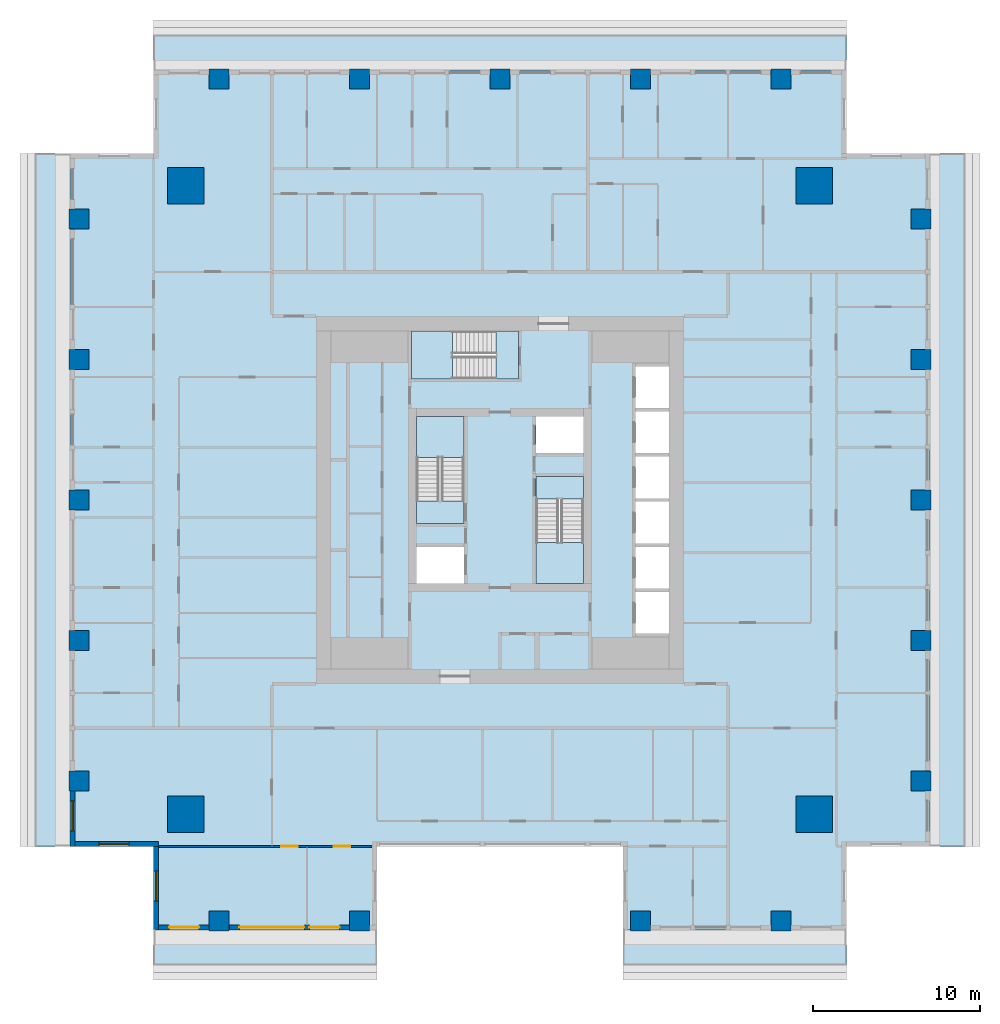
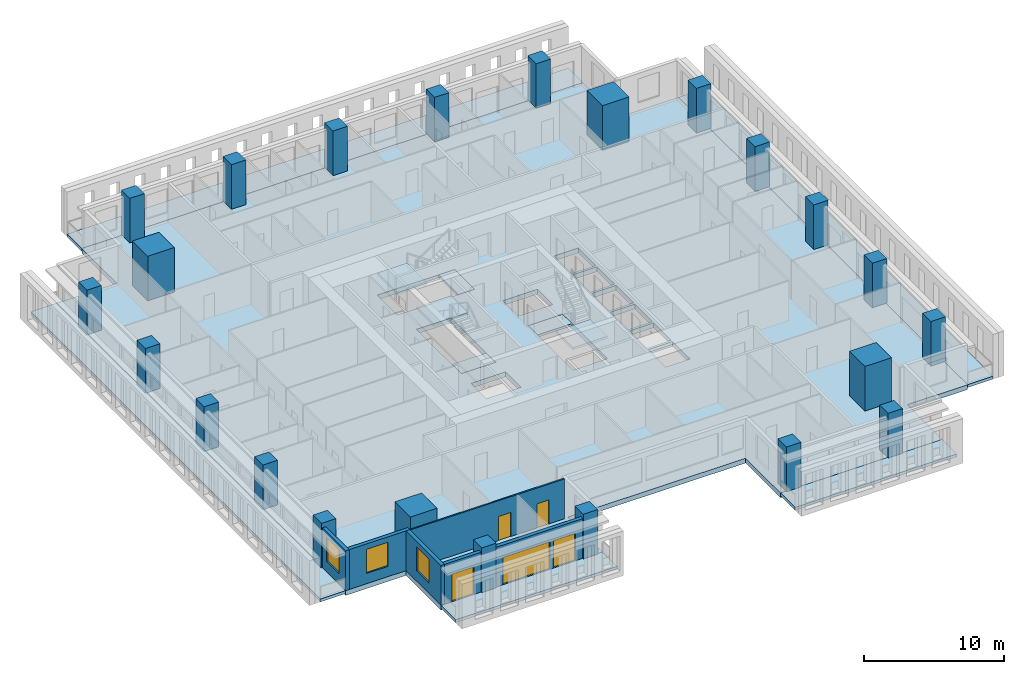
# One storey, part 1 of 15: 23 columns, 12 slabs, 6 walls, 5 doors, 3 windows, 8 openings, 3 elements without a shape of their own.
"""IFC4 building model written with IfcOpenShell, lengths in metres."""

import ifcopenshell
import ifcopenshell.guid

model = None  # the IFC model being written
_history = None  # IfcOwnerHistory: only IFC2X3 demands one
_inside = {}  # id of a spatial element -> (the spatial element, [elements in it])
_under = {}  # id of a project, library or spatial element -> (it, [spatial elements below it])
_declared = {}  # id of a project -> (the project, [libraries it declares])
_typed = {}  # id of a type object -> (the type object, [elements of that type])
_made_of = {}  # id of a material, layer set ... -> (it, [elements and type objects made of it])


def new_model(schema):
    """Start an empty IFC model of exactly this schema.

    Asked for "IFC4X3", IfcOpenShell would pick the latest addendum, in which some entities
    have other attributes; the version numbers below select the first issue.
    IFC2X3 requires an IfcOwnerHistory on every rooted entity: one is made here for all.
    """
    global model, _history
    if schema == "IFC4X3":
        model = ifcopenshell.file(schema_version=(4, 3, 0, 0))
    else:
        model = ifcopenshell.file(schema=schema)
    _inside.clear()
    _under.clear()
    _declared.clear()
    _typed.clear()
    _made_of.clear()
    _history = None
    if model.schema == "IFC2X3":
        org = make("IfcOrganization", Name="unknown")
        user = make(
            "IfcPersonAndOrganization",
            ThePerson=make("IfcPerson", FamilyName="unknown"),
            TheOrganization=org,
        )
        app = make(
            "IfcApplication",
            ApplicationDeveloper=org,
            Version="unknown",
            ApplicationFullName="unknown",
            ApplicationIdentifier="unknown",
        )
        _history = make(
            "IfcOwnerHistory",
            OwningUser=user,
            OwningApplication=app,
            ChangeAction="ADDED",
            CreationDate=0,
        )
    return model


def make(cls, **values):
    """One entity of the class cls with the attributes given. An attribute that is None is left unset."""
    return model.create_entity(
        cls, **{name: value for name, value in values.items() if value is not None}
    )


def rooted(cls, **values):
    """An entity with a GlobalId (a new one), such as an element, a storey or a relation."""
    return make(cls, GlobalId=ifcopenshell.guid.new(), OwnerHistory=_history, **values)


def si_unit(unit_type, name, prefix=None):
    """IfcSIUnit, for example si_unit("LENGTHUNIT", "METRE", prefix="MILLI")."""
    return make("IfcSIUnit", UnitType=unit_type, Prefix=prefix, Name=name)


def assignment(units):
    """IfcUnitAssignment: the units of a project."""
    return None if units is None else make("IfcUnitAssignment", Units=units)


def point(xyz):
    """IfcCartesianPoint."""
    return None if xyz is None else make("IfcCartesianPoint", Coordinates=xyz)


def direction(xyz):
    """IfcDirection."""
    return None if xyz is None else make("IfcDirection", DirectionRatios=xyz)


def frame(location, z_axis=None, x_axis=None):
    """IfcAxis2Placement3D, a coordinate frame: its origin and axes. An axis left out is left unset."""
    return make(
        "IfcAxis2Placement3D",
        Location=point(location),
        Axis=direction(z_axis),
        RefDirection=direction(x_axis),
    )


def frame_2d(location, x_axis=None):
    """IfcAxis2Placement2D, a coordinate frame in the plane: its origin and x axis."""
    return make(
        "IfcAxis2Placement2D", Location=point(location), RefDirection=direction(x_axis)
    )


def origin():
    """The frame at (0, 0, 0) with its axes left unset."""
    return frame((0.0, 0.0, 0.0))


def origin_2d():
    """The frame at (0, 0) in the plane with its x axis left unset."""
    return frame_2d((0.0, 0.0))


def place(relative_to, where):
    """IfcLocalPlacement: puts the frame where relative to a parent placement (None: the world)."""
    return make(
        "IfcLocalPlacement", PlacementRelTo=relative_to, RelativePlacement=where
    )


def context(
    kind, dimensions, precision=None, world=None, true_north=None, identifier=None
):
    """IfcGeometricRepresentationContext, for example the 3D "Model" context."""
    return make(
        "IfcGeometricRepresentationContext",
        ContextIdentifier=identifier,
        ContextType=kind,
        CoordinateSpaceDimension=dimensions,
        Precision=precision,
        WorldCoordinateSystem=world,
        TrueNorth=true_north,
    )


def subcontext(parent, identifier, kind, view, scale=None):
    """IfcGeometricRepresentationSubContext, for example "Body" below "Model"."""
    return make(
        "IfcGeometricRepresentationSubContext",
        ContextIdentifier=identifier,
        ContextType=kind,
        ParentContext=parent,
        TargetScale=scale,
        TargetView=view,
    )


def project(units=None, contexts=None):
    """IfcProject with its units and contexts."""
    return rooted(
        "IfcProject",
        Name="project",
        RepresentationContexts=contexts,
        UnitsInContext=assignment(units),
    )


def spatial(cls, under=None, at=None, **own):
    """A site, building, storey or space (cls), placed at a placement, below another one or the project."""
    s = rooted(cls, ObjectPlacement=at, **own)
    if under is not None:
        _under.setdefault(under.id(), (under, []))[1].append(s)
    return s


def polyline(points):
    """IfcPolyline through the points."""
    return make("IfcPolyline", Points=[point(p) for p in points])


def profile(cls, at=None, kind="AREA", **sizes):
    """A parametric profile (cls). Its sizes go by their IFC names, for example OverallWidth=200.0."""
    return make(cls, ProfileType=kind, Position=at, **sizes)


def rectangle(**sizes):
    """IfcRectangleProfileDef."""
    return profile("IfcRectangleProfileDef", **sizes)


def outline(outer, holes=None, kind="AREA"):
    """IfcArbitraryClosedProfileDef: a profile drawn as a closed curve; with holes, ...WithVoids."""
    if holes is None:
        return make("IfcArbitraryClosedProfileDef", ProfileType=kind, OuterCurve=outer)
    return make(
        "IfcArbitraryProfileDefWithVoids",
        ProfileType=kind,
        OuterCurve=outer,
        InnerCurves=holes,
    )


def extrude(swept, where, along, depth):
    """IfcExtrudedAreaSolid: the profile swept, set in the frame where, extruded along a direction by depth."""
    return make(
        "IfcExtrudedAreaSolid",
        SweptArea=swept,
        Position=where,
        ExtrudedDirection=direction(along),
        Depth=depth,
    )


def shape(context_of_items, identifier, shape_type, items):
    """IfcShapeRepresentation: the items that make up one representation, for example the "Body"."""
    return make(
        "IfcShapeRepresentation",
        ContextOfItems=context_of_items,
        RepresentationIdentifier=identifier,
        RepresentationType=shape_type,
        Items=items,
    )


def material(Name=None, Category=None):
    """IfcMaterial."""
    return make("IfcMaterial", Name=Name, Category=Category)


def layer(
    of_material, thickness, ventilated=None, Name=None, Category=None, Priority=None
):
    """IfcMaterialLayer: one layer of a wall or slab, of a material (None: an air gap)."""
    return make(
        "IfcMaterialLayer",
        Material=of_material,
        LayerThickness=thickness,
        IsVentilated=ventilated,
        Name=Name,
        Category=Category,
        Priority=Priority,
    )


def layer_set(layers, Name=None):
    """IfcMaterialLayerSet."""
    return make("IfcMaterialLayerSet", MaterialLayers=layers, LayerSetName=Name)


def material_profile(
    of_material, cross_section, Name=None, Category=None, Priority=None
):
    """IfcMaterialProfile: a cross section and its material."""
    return make(
        "IfcMaterialProfile",
        Name=Name,
        Material=of_material,
        Profile=cross_section,
        Priority=Priority,
        Category=Category,
    )


def profile_set(profiles, Name=None, composite=None):
    """IfcMaterialProfileSet."""
    return make(
        "IfcMaterialProfileSet",
        Name=Name,
        MaterialProfiles=profiles,
        CompositeProfile=composite,
    )


def made_of(thing, what):
    """Note that an element or type object is made of a material, layer set ...; save() writes the relation."""
    if what is not None:
        _made_of.setdefault(what.id(), (what, []))[1].append(thing)
    return thing


def type_object(cls, material=None, **own):
    """A type object (cls), such as IfcWallType, which elements share."""
    return made_of(rooted(cls, **own), material)


def element(
    cls,
    number,
    at=None,
    inside=None,
    cuts=None,
    type_object=None,
    material=None,
    context=None,
    identifier="Body",
    shape_type=None,
    held_by="IfcProductDefinitionShape",
    body=None,
    shapes=None,
    **own,
):
    """One element of the class cls, such as IfcWall. Its Tag is "e" and its number.

    at: its placement. inside: the storey or other place that contains it. cuts: it is an
    opening in that element (IfcRelVoidsElement). A single representation is given by context,
    identifier, shape_type and body (its items); several are given by shapes. held_by: the class
    of the entity that holds the representations. save() writes the other relations.
    """
    e = rooted(cls, Tag="e%d" % number, ObjectPlacement=at, **own)
    if body is not None:
        shapes = [shape(context, identifier, shape_type, body)]
    if shapes is not None:
        e.Representation = make(held_by, Representations=shapes)
    if inside is not None:
        _inside.setdefault(inside.id(), (inside, []))[1].append(e)
    if cuts is not None:
        rooted(
            "IfcRelVoidsElement", RelatingBuildingElement=cuts, RelatedOpeningElement=e
        )
    if type_object is not None:
        _typed.setdefault(type_object.id(), (type_object, []))[1].append(e)
    return made_of(e, material)


def fill(opening, filler):
    """IfcRelFillsElement: the door or window that sits in an opening."""
    return rooted(
        "IfcRelFillsElement",
        RelatingOpeningElement=opening,
        RelatedBuildingElement=filler,
    )


def aggregate(whole, parts):
    """IfcRelAggregates: a whole, such as a stair, and the parts it consists of."""
    return rooted("IfcRelAggregates", RelatingObject=whole, RelatedObjects=parts)


def save(model, path):
    """Write the relations noted so far, then the file.

    IfcRelAggregates (storeys below a building ...), IfcRelContainedInSpatialStructure (elements
    in a storey), IfcRelDefinesByType, IfcRelAssociatesMaterial and IfcRelDeclares: one each for
    every whole, place, type object, material and project.
    """
    for whole, parts in _under.values():
        aggregate(whole, parts)
    for where, things in _inside.values():
        rooted(
            "IfcRelContainedInSpatialStructure",
            RelatedElements=things,
            RelatingStructure=where,
        )
    for kind, things in _typed.values():
        rooted("IfcRelDefinesByType", RelatedObjects=things, RelatingType=kind)
    for what, things in _made_of.values():
        rooted("IfcRelAssociatesMaterial", RelatedObjects=things, RelatingMaterial=what)
    for by, libraries in _declared.values():
        rooted("IfcRelDeclares", RelatingContext=by, RelatedDefinitions=libraries)
    model.write(path)


model = new_model("IFC4")

# Units and contexts
model_context = context("Model", 3, precision=1e-05, world=origin(), true_north=direction((0.0, 1.0)))
body_context = subcontext(model_context, "Body", "Model", "MODEL_VIEW")
ifc_project = project(units=[si_unit("LENGTHUNIT", "METRE"), si_unit("AREAUNIT", "SQUARE_METRE"), si_unit("VOLUMEUNIT", "CUBIC_METRE"), si_unit("PLANEANGLEUNIT", "RADIAN"), si_unit("MASSUNIT", "GRAM", prefix="KILO")], contexts=[model_context])

# Site, building, storey
site_placement = place(None, origin())
site = spatial("IfcSite", under=ifc_project, at=site_placement, CompositionType="ELEMENT")
building_placement = place(site_placement, origin())
building = spatial("IfcBuilding", under=site, at=building_placement, Name="Khepri Terraces", CompositionType="ELEMENT")
storey_placement = place(building_placement, frame((0.0, 0.0, 260.10009765625)))
storey = spatial("IfcBuildingStorey", under=building, at=storey_placement, Name="L62", CompositionType="ELEMENT", Elevation=260.10009765625)

# Columns
ifc_material_1 = material(Name="Concrete C40/50", Category="concrete")
ifc_material_profile_1 = material_profile(ifc_material_1, rectangle(XDim=2.199951171875, YDim=2.199951171875, at=origin_2d()), Name="Concrete C40/50", Category="concrete")
ifc_profile_set_1 = profile_set([ifc_material_profile_1], Name="Concrete C40/50")
column_type_1 = type_object("IfcColumnType", Name="Mega column RC 2200x2200 C40/50", PredefinedType="COLUMN", material=ifc_profile_set_1)
for number, where, z_axis, x_axis, name in (
    (1, (18.800048828125, 18.800048828125, 0.0), (0.0, 0.0, 1.0), (1.0, 0.0, 0.0), "Mega column MEN L62"),
    (2, (18.800048828125, -18.800048828125, 0.0), (0.0, 0.0, 1.0), (1.0, 0.0, 0.0), "Mega column MES L62"),
    (3, (-18.800048828125, 18.800048828125, 0.0), (0.0, 0.0, 1.0), (1.0, 0.0, 0.0), "Mega column MWN L62"),
    (4, (-18.800048828125, -18.800048828125, 0.0), (0.0, 0.0, 1.0), (1.0, 0.0, 0.0), "Mega column MWS L62"),
):
    element("IfcColumn", number, at=place(storey_placement, frame(where, z_axis=z_axis, x_axis=x_axis)), inside=storey, type_object=column_type_1, Name=name, PredefinedType="COLUMN", context=body_context, shape_type="SweptSolid", body=[
        extrude(rectangle(XDim=2.199951171875, YDim=2.199951171875, at=origin_2d()), origin(), (0.0, 0.0, 1.0), 3.89990234375),
    ])
ifc_material_profile_2 = material_profile(ifc_material_1, rectangle(XDim=1.199951171875, YDim=1.199951171875, at=origin_2d()), Name="Concrete C40/50", Category="concrete")
ifc_profile_set_2 = profile_set([ifc_material_profile_2], Name="Concrete C40/50")
column_type_2 = type_object("IfcColumnType", Name="Tower column RC 1200x1200 C40/50", PredefinedType="COLUMN", material=ifc_profile_set_2)
for number, where, z_axis, x_axis, name in (
    (5, (25.199951171875, 0.0, 0.0), (0.0, 0.0, 1.0), (1.0, 0.0, 0.0), "Perimeter column PE+000b L62"),
    (6, (25.199951171875, 8.39990234375, 0.0), (0.0, 0.0, 1.0), (1.0, 0.0, 0.0), "Perimeter column PE+084b L62"),
    (7, (25.199951171875, 16.800048828125, 0.0), (0.0, 0.0, 1.0), (1.0, 0.0, 0.0), "Perimeter column PE+168a L62"),
    (8, (25.199951171875, -8.39990234375, 0.0), (0.0, 0.0, 1.0), (1.0, 0.0, 0.0), "Perimeter column PE-084b L62"),
    (9, (25.199951171875, -16.800048828125, 0.0), (0.0, 0.0, 1.0), (1.0, 0.0, 0.0), "Perimeter column PE-168a L62"),
    (10, (0.0, 25.199951171875, 0.0), (0.0, 0.0, 1.0), (1.0, 0.0, 0.0), "Perimeter column PN+000b L62"),
    (11, (-8.39990234375, 25.199951171875, 0.0), (0.0, 0.0, 1.0), (1.0, 0.0, 0.0), "Perimeter column PN+084b L62"),
    (12, (-16.800048828125, 25.199951171875, 0.0), (0.0, 0.0, 1.0), (1.0, 0.0, 0.0), "Perimeter column PN+168a L62"),
    (13, (8.39990234375, 25.199951171875, 0.0), (0.0, 0.0, 1.0), (1.0, 0.0, 0.0), "Perimeter column PN-084b L62"),
    (14, (16.800048828125, 25.199951171875, 0.0), (0.0, 0.0, 1.0), (1.0, 0.0, 0.0), "Perimeter column PN-168a L62"),
    (15, (8.39990234375, -25.199951171875, 0.0), (0.0, 0.0, 1.0), (1.0, 0.0, 0.0), "Perimeter column PS+084b L62"),
    (16, (16.800048828125, -25.199951171875, 0.0), (0.0, 0.0, 1.0), (1.0, 0.0, 0.0), "Perimeter column PS+168a L62"),
    (17, (-8.39990234375, -25.199951171875, 0.0), (0.0, 0.0, 1.0), (1.0, 0.0, 0.0), "Perimeter column PS-084b L62"),
    (18, (-16.800048828125, -25.199951171875, 0.0), (0.0, 0.0, 1.0), (1.0, 0.0, 0.0), "Perimeter column PS-168a L62"),
    (19, (-25.199951171875, 0.0, 0.0), (0.0, 0.0, 1.0), (1.0, 0.0, 0.0), "Perimeter column PW+000b L62"),
    (20, (-25.199951171875, -8.39990234375, 0.0), (0.0, 0.0, 1.0), (1.0, 0.0, 0.0), "Perimeter column PW+084b L62"),
    (21, (-25.199951171875, -16.800048828125, 0.0), (0.0, 0.0, 1.0), (1.0, 0.0, 0.0), "Perimeter column PW+168a L62"),
    (22, (-25.199951171875, 8.39990234375, 0.0), (0.0, 0.0, 1.0), (1.0, 0.0, 0.0), "Perimeter column PW-084b L62"),
    (23, (-25.199951171875, 16.800048828125, 0.0), (0.0, 0.0, 1.0), (1.0, 0.0, 0.0), "Perimeter column PW-168a L62"),
):
    element("IfcColumn", number, at=place(storey_placement, frame(where, z_axis=z_axis, x_axis=x_axis)), inside=storey, type_object=column_type_2, Name=name, PredefinedType="COLUMN", context=body_context, shape_type="SweptSolid", body=[
        extrude(rectangle(XDim=1.199951171875, YDim=1.199951171875, at=origin_2d()), origin(), (0.0, 0.0, 1.0), 3.89990234375),
    ])

# Slabs
ifc_layer_1 = layer(ifc_material_1, 0.419921875, Name="Concrete C40/50", Category="concrete")
ifc_layer_set_1 = layer_set([ifc_layer_1], Name="Concrete C40/50")
slab_type_1 = type_object("IfcSlabType", Name="Flat plate 420", PredefinedType="FLOOR", material=ifc_layer_set_1)
slab_1_placement = place(storey_placement, frame((0.0, 0.0, -0.420166015625)))
element("IfcSlab", 24, at=slab_1_placement, inside=storey, type_object=slab_type_1, Name="Floor slab F01 L62", PredefinedType="FLOOR", context=body_context, shape_type="SweptSolid", body=[
    extrude(outline(polyline([(-20.719970703125, 25.719970703125), (20.719970703125, 25.719970703125), (20.719970703125, 20.719970703125), (25.719970703125, 20.719970703125), (25.719970703125, -20.719970703125), (20.719970703125, -20.719970703125), (20.719970703125, -25.719970703125), (7.35009765625, -25.719970703125), (7.35009765625, -20.719970703125), (-7.35009765625, -20.719970703125), (-7.35009765625, -25.719970703125), (-20.719970703125, -25.719970703125), (-20.719970703125, -20.719970703125), (-25.719970703125, -20.719970703125), (-25.719970703125, 20.719970703125), (-20.719970703125, 20.719970703125), (-20.719970703125, 25.719970703125)]), holes=[polyline([(2.14990234375, 2.800048828125), (5.0, 2.800048828125), (5.0, 5.0), (2.14990234375, 5.0), (2.14990234375, 2.800048828125)]), polyline([(-5.0, -2.800048828125), (-5.0, -5.0), (-2.14990234375, -5.0), (-2.14990234375, -2.800048828125), (-5.0, -2.800048828125)]), polyline([(10.10009765625, -5.5), (8.10009765625, -5.5), (8.10009765625, -8.0), (10.10009765625, -8.0), (10.10009765625, -5.5)]), polyline([(10.10009765625, -5.300048828125), (10.10009765625, -2.800048828125), (8.10009765625, -2.800048828125), (8.10009765625, -5.300048828125), (10.10009765625, -5.300048828125)]), polyline([(8.10009765625, -2.60009765625), (10.10009765625, -2.60009765625), (10.10009765625, -0.10009765625), (8.10009765625, -0.10009765625), (8.10009765625, -2.60009765625)]), polyline([(8.10009765625, 2.60009765625), (8.10009765625, 0.10009765625), (10.10009765625, 0.10009765625), (10.10009765625, 2.60009765625), (8.10009765625, 2.60009765625)]), polyline([(10.10009765625, 5.300048828125), (8.10009765625, 5.300048828125), (8.10009765625, 2.800048828125), (10.10009765625, 2.800048828125), (10.10009765625, 5.300048828125)]), polyline([(10.10009765625, 5.5), (10.10009765625, 8.0), (8.10009765625, 8.0), (8.10009765625, 5.5), (10.10009765625, 5.5)]), polyline([(-5.0, -1.39990234375), (-2.14990234375, -1.39990234375), (-2.14990234375, 5.0), (-5.0, 5.0), (-5.0, -1.39990234375)]), polyline([(5.0, -5.0), (5.0, 1.39990234375), (2.14990234375, 1.39990234375), (2.14990234375, -5.0), (5.0, -5.0)]), polyline([(-5.300048828125, 10.10009765625), (-5.300048828125, 7.25), (1.10009765625, 7.25), (1.10009765625, 10.10009765625), (-5.300048828125, 10.10009765625)])]), origin(), (0.0, 0.0, 1.0), 0.420166015625),
])
ifc_material_2 = material(Name="Precast concrete C50/60 warm stone", Category="masonry")
ifc_layer_2 = layer(ifc_material_2, 0.25, Name="Precast concrete C50/60 warm stone", Category="masonry")
ifc_layer_set_2 = layer_set([ifc_layer_2], Name="Precast concrete C50/60 warm stone")
slab_type_2 = type_object("IfcSlabType", Name="SLB-BALCONY-250", PredefinedType="FLOOR", material=ifc_layer_set_2)
slab_2_placement = place(storey_placement, frame((0.0, 0.0, -0.25)))
element("IfcSlab", 25, at=slab_2_placement, inside=storey, type_object=slab_type_2, Name="Balcony slab L62 S", PredefinedType="FLOOR", context=body_context, shape_type="SweptSolid", body=[
    extrude(outline(polyline([(-17.39990234375, -25.719970703125), (-20.719970703125, -25.719970703125), (-20.719970703125, -27.820068359375), (-7.35009765625, -27.820068359375), (-7.35009765625, -25.719970703125), (-7.800048828125, -25.719970703125), (-7.800048828125, -25.800048828125), (-9.0, -25.800048828125), (-9.0, -25.719970703125), (-16.199951171875, -25.719970703125), (-16.199951171875, -25.800048828125), (-17.39990234375, -25.800048828125), (-17.39990234375, -25.719970703125)])), origin(), (0.0, 0.0, 1.0), 0.25),
])
slab_3_placement = place(storey_placement, frame((0.0, 0.0, -0.25)))
element("IfcSlab", 26, at=slab_3_placement, inside=storey, type_object=slab_type_2, Name="Balcony slab L62 S", PredefinedType="FLOOR", context=body_context, shape_type="SweptSolid", body=[
    extrude(outline(polyline([(7.800048828125, -25.719970703125), (7.35009765625, -25.719970703125), (7.35009765625, -27.820068359375), (20.719970703125, -27.820068359375), (20.719970703125, -25.719970703125), (17.39990234375, -25.719970703125), (17.39990234375, -25.800048828125), (16.199951171875, -25.800048828125), (16.199951171875, -25.719970703125), (9.0, -25.719970703125), (9.0, -25.800048828125), (7.800048828125, -25.800048828125), (7.800048828125, -25.719970703125)])), origin(), (0.0, 0.0, 1.0), 0.25),
])
slab_4_placement = place(storey_placement, frame((0.0, 0.0, -0.25)))
element("IfcSlab", 27, at=slab_4_placement, inside=storey, type_object=slab_type_2, Name="Balcony slab L62 E", PredefinedType="FLOOR", context=body_context, shape_type="SweptSolid", body=[
    extrude(outline(polyline([(25.719970703125, -17.39990234375), (25.719970703125, -20.719970703125), (27.820068359375, -20.719970703125), (27.820068359375, 20.719970703125), (25.719970703125, 20.719970703125), (25.719970703125, 17.39990234375), (25.800048828125, 17.39990234375), (25.800048828125, 16.199951171875), (25.719970703125, 16.199951171875), (25.719970703125, 9.0), (25.800048828125, 9.0), (25.800048828125, 7.800048828125), (25.719970703125, 7.800048828125), (25.719970703125, 0.60009765625), (25.800048828125, 0.60009765625), (25.800048828125, -0.60009765625), (25.719970703125, -0.60009765625), (25.719970703125, -7.800048828125), (25.800048828125, -7.800048828125), (25.800048828125, -9.0), (25.719970703125, -9.0), (25.719970703125, -16.199951171875), (25.800048828125, -16.199951171875), (25.800048828125, -17.39990234375), (25.719970703125, -17.39990234375)])), origin(), (0.0, 0.0, 1.0), 0.25),
])
slab_5_placement = place(storey_placement, frame((0.0, 0.0, -0.25)))
element("IfcSlab", 28, at=slab_5_placement, inside=storey, type_object=slab_type_2, Name="Balcony slab L62 N", PredefinedType="FLOOR", context=body_context, shape_type="SweptSolid", body=[
    extrude(outline(polyline([(17.39990234375, 25.719970703125), (20.719970703125, 25.719970703125), (20.719970703125, 27.820068359375), (-20.719970703125, 27.820068359375), (-20.719970703125, 25.719970703125), (-17.39990234375, 25.719970703125), (-17.39990234375, 25.800048828125), (-16.199951171875, 25.800048828125), (-16.199951171875, 25.719970703125), (-9.0, 25.719970703125), (-9.0, 25.800048828125), (-7.800048828125, 25.800048828125), (-7.800048828125, 25.719970703125), (-0.60009765625, 25.719970703125), (-0.60009765625, 25.800048828125), (0.60009765625, 25.800048828125), (0.60009765625, 25.719970703125), (7.800048828125, 25.719970703125), (7.800048828125, 25.800048828125), (9.0, 25.800048828125), (9.0, 25.719970703125), (16.199951171875, 25.719970703125), (16.199951171875, 25.800048828125), (17.39990234375, 25.800048828125), (17.39990234375, 25.719970703125)])), origin(), (0.0, 0.0, 1.0), 0.25),
])
slab_6_placement = place(storey_placement, frame((0.0, 0.0, -0.25)))
element("IfcSlab", 29, at=slab_6_placement, inside=storey, type_object=slab_type_2, Name="Balcony slab L62 W", PredefinedType="FLOOR", context=body_context, shape_type="SweptSolid", body=[
    extrude(outline(polyline([(-25.719970703125, 17.39990234375), (-25.719970703125, 20.719970703125), (-27.820068359375, 20.719970703125), (-27.820068359375, -20.719970703125), (-25.719970703125, -20.719970703125), (-25.719970703125, -17.39990234375), (-25.800048828125, -17.39990234375), (-25.800048828125, -16.199951171875), (-25.719970703125, -16.199951171875), (-25.719970703125, -9.0), (-25.800048828125, -9.0), (-25.800048828125, -7.800048828125), (-25.719970703125, -7.800048828125), (-25.719970703125, -0.60009765625), (-25.800048828125, -0.60009765625), (-25.800048828125, 0.60009765625), (-25.719970703125, 0.60009765625), (-25.719970703125, 7.800048828125), (-25.800048828125, 7.800048828125), (-25.800048828125, 9.0), (-25.719970703125, 9.0), (-25.719970703125, 16.199951171875), (-25.800048828125, 16.199951171875), (-25.800048828125, 17.39990234375), (-25.719970703125, 17.39990234375)])), origin(), (0.0, 0.0, 1.0), 0.25),
])

# Stair, slabs
stair_type = type_object("IfcStairType", Name="STAIR-RC-22R", PredefinedType="HALF_TURN_STAIR", material=ifc_material_1)
stair_1_placement = place(storey_placement, origin())
stair_1 = element("IfcStair", 30, at=stair_1_placement, inside=storey, type_object=stair_type, Name="L62 Exit Stair ST-1", PredefinedType="HALF_TURN_STAIR")
ifc_layer_3 = layer(ifc_material_1, 0.199951171875, Name="Concrete C40/50", Category="concrete")
ifc_layer_set_3 = layer_set([ifc_layer_3], Name="Concrete C40/50")
slab_type_3 = type_object("IfcSlabType", Name="SLB-CORE-LANDING", PredefinedType="LANDING", material=ifc_layer_set_3)
slab_7_placement = place(storey_placement, frame((0.0, 0.0, -0.2001953125)))
slab_7 = element("IfcSlab", 31, at=slab_7_placement, type_object=slab_type_3, Name="ST-1 landing 1", PredefinedType="LANDING", context=body_context, shape_type="SweptSolid", body=[
    extrude(outline(polyline([(-2.14990234375, -1.39990234375), (-2.14990234375, -0.050048828125), (-5.0, -0.050048828125), (-5.0, -1.39990234375), (-2.14990234375, -1.39990234375)])), origin(), (0.0, 0.0, 1.0), 0.2001953125),
])
slab_8_placement = place(storey_placement, frame((0.0, 0.0, 1.75)))
slab_8 = element("IfcSlab", 32, at=slab_8_placement, type_object=slab_type_3, Name="ST-1 landing 2", PredefinedType="LANDING", context=body_context, shape_type="SweptSolid", body=[
    extrude(outline(polyline([(-2.14990234375, 2.550048828125), (-2.14990234375, 5.0), (-5.0, 5.0), (-5.0, 2.550048828125), (-2.14990234375, 2.550048828125)])), origin(), (0.0, 0.0, 1.0), 0.199951171875),
])
aggregate(stair_1, [slab_7, slab_8])

stair_2_placement = place(storey_placement, origin())
stair_2 = element("IfcStair", 33, at=stair_2_placement, inside=storey, type_object=stair_type, Name="L62 Exit Stair ST-2", PredefinedType="HALF_TURN_STAIR")
slab_9_placement = place(storey_placement, frame((0.0, 0.0, -0.2001953125)))
slab_9 = element("IfcSlab", 34, at=slab_9_placement, type_object=slab_type_3, Name="ST-2 landing 1", PredefinedType="LANDING", context=body_context, shape_type="SweptSolid", body=[
    extrude(outline(polyline([(2.14990234375, 1.39990234375), (2.14990234375, 0.050048828125), (5.0, 0.050048828125), (5.0, 1.39990234375), (2.14990234375, 1.39990234375)])), origin(), (0.0, 0.0, 1.0), 0.2001953125),
])
slab_10_placement = place(storey_placement, frame((0.0, 0.0, 1.75)))
slab_10 = element("IfcSlab", 35, at=slab_10_placement, type_object=slab_type_3, Name="ST-2 landing 2", PredefinedType="LANDING", context=body_context, shape_type="SweptSolid", body=[
    extrude(outline(polyline([(2.14990234375, -2.550048828125), (2.14990234375, -5.0), (5.0, -5.0), (5.0, -2.550048828125), (2.14990234375, -2.550048828125)])), origin(), (0.0, 0.0, 1.0), 0.199951171875),
])
aggregate(stair_2, [slab_9, slab_10])

stair_3_placement = place(storey_placement, origin())
stair_3 = element("IfcStair", 36, at=stair_3_placement, inside=storey, type_object=stair_type, Name="L62 Exit Stair ST-3", PredefinedType="HALF_TURN_STAIR")
slab_11_placement = place(storey_placement, frame((0.0, 0.0, -0.2001953125)))
slab_11 = element("IfcSlab", 37, at=slab_11_placement, type_object=slab_type_3, Name="ST-3 landing 1", PredefinedType="LANDING", context=body_context, shape_type="SweptSolid", body=[
    extrude(outline(polyline([(1.10009765625, 10.10009765625), (-0.25, 10.10009765625), (-0.25, 7.25), (1.10009765625, 7.25), (1.10009765625, 10.10009765625)])), origin(), (0.0, 0.0, 1.0), 0.2001953125),
])
slab_12_placement = place(storey_placement, frame((0.0, 0.0, 1.75)))
slab_12 = element("IfcSlab", 38, at=slab_12_placement, type_object=slab_type_3, Name="ST-3 landing 2", PredefinedType="LANDING", context=body_context, shape_type="SweptSolid", body=[
    extrude(outline(polyline([(-2.85009765625, 10.10009765625), (-5.300048828125, 10.10009765625), (-5.300048828125, 7.25), (-2.85009765625, 7.25), (-2.85009765625, 10.10009765625)])), origin(), (0.0, 0.0, 1.0), 0.199951171875),
])
aggregate(stair_3, [slab_11, slab_12])

# Wall, opening, window
ifc_layer_4 = layer(ifc_material_2, 0.300048828125, Name="Precast concrete C50/60 warm stone", Category="masonry")
ifc_layer_set_4 = layer_set([ifc_layer_4], Name="Precast concrete C50/60 warm stone")
wall_type_1 = type_object("IfcWallType", Name="WL-EXT-PRECAST-300", PredefinedType="STANDARD", material=ifc_layer_set_4)
wall_1_placement = place(storey_placement, frame((-25.570068359375, -17.39990234375, 0.0), z_axis=(0.0, 0.0, 1.0), x_axis=(0.0, -1.0, 0.0)))
wall_1 = element("IfcWall", 39, at=wall_1_placement, inside=storey, type_object=wall_type_1, Name="External wall L62 W", PredefinedType="STANDARD", context=body_context, shape_type="SweptSolid", body=[
    extrude(rectangle(XDim=3.320068359375, YDim=0.300048828125, at=frame_2d((1.66015625, 0.0))), origin(), (0.0, 0.0, 1.0), 3.47998046875),
])
opening_1_placement = place(wall_1_placement, frame((0.60009765625, 0.0, 0.89990234375)))
opening_1 = element("IfcOpeningElement", 40, at=opening_1_placement, cuts=wall_1, Name="Opening W1", PredefinedType="OPENING", context=body_context, shape_type="SweptSolid", body=[
    extrude(rectangle(XDim=1.800048828125, YDim=2.10009765625, at=frame_2d((0.89990234375, 1.050048828125))), frame((0.0, 0.16015625, 0.0), z_axis=(0.0, -1.0, 0.0), x_axis=(1.0, 0.0, 0.0)), (0.0, 0.0, 1.0), 0.320068359375),
])
ifc_material_3 = material(Name="Clear glass", Category="glass")
window_type = type_object("IfcWindowType", Name="WIN-RES-1800x2100", PartitioningType="SINGLE_PANEL", PredefinedType="WINDOW", material=ifc_material_3)
window_1_placement = place(opening_1_placement, origin())
window_1 = element("IfcWindow", 41, at=window_1_placement, inside=storey, type_object=window_type, Name="Window L62 W", OverallHeight=2.10009765625, OverallWidth=1.800048828125, PartitioningType="SINGLE_PANEL", PredefinedType="WINDOW", context=body_context, shape_type="SweptSolid", body=[
    extrude(rectangle(XDim=1.800048828125, YDim=2.10009765625, at=frame_2d((0.89990234375, 1.050048828125))), frame((0.0, 0.030029296875, 0.0), z_axis=(0.0, -1.0, 0.0), x_axis=(1.0, 0.0, 0.0)), (0.0, 0.0, 1.0), 0.06005859375),
])
fill(opening_1, window_1)

wall_2_placement = place(storey_placement, frame((-25.419921875, -20.570068359375, 0.0), z_axis=(0.0, 0.0, 1.0), x_axis=(1.0, 0.0, 0.0)))
wall_2 = element("IfcWall", 42, at=wall_2_placement, inside=storey, type_object=wall_type_1, Name="External wall L62 S", PredefinedType="STANDARD", context=body_context, shape_type="SweptSolid", body=[
    extrude(rectangle(XDim=5.0, YDim=0.300048828125, at=frame_2d((2.5, 0.0))), origin(), (0.0, 0.0, 1.0), 3.47998046875),
])
opening_2_placement = place(wall_2_placement, frame((1.419921875, 0.0, 0.89990234375)))
opening_2 = element("IfcOpeningElement", 43, at=opening_2_placement, cuts=wall_2, Name="Opening W1", PredefinedType="OPENING", context=body_context, shape_type="SweptSolid", body=[
    extrude(rectangle(XDim=1.800048828125, YDim=2.10009765625, at=frame_2d((0.89990234375, 1.050048828125))), frame((0.0, 0.16015625, 0.0), z_axis=(0.0, -1.0, 0.0), x_axis=(1.0, 0.0, 0.0)), (0.0, 0.0, 1.0), 0.320068359375),
])
window_2_placement = place(opening_2_placement, origin())
window_2 = element("IfcWindow", 44, at=window_2_placement, inside=storey, type_object=window_type, Name="Window L62 S", OverallHeight=2.10009765625, OverallWidth=1.800048828125, PartitioningType="SINGLE_PANEL", PredefinedType="WINDOW", context=body_context, shape_type="SweptSolid", body=[
    extrude(rectangle(XDim=1.800048828125, YDim=2.10009765625, at=frame_2d((0.89990234375, 1.050048828125))), frame((0.0, 0.030029296875, 0.0), z_axis=(0.0, -1.0, 0.0), x_axis=(1.0, 0.0, 0.0)), (0.0, 0.0, 1.0), 0.06005859375),
])
fill(opening_2, window_2)

wall_3_placement = place(storey_placement, frame((-20.570068359375, -20.719970703125, 0.0), z_axis=(0.0, 0.0, 1.0), x_axis=(0.0, -1.0, 0.0)))
wall_3 = element("IfcWall", 45, at=wall_3_placement, inside=storey, type_object=wall_type_1, Name="External wall L62 W", PredefinedType="STANDARD", context=body_context, shape_type="SweptSolid", body=[
    extrude(rectangle(XDim=5.0, YDim=0.300048828125, at=frame_2d((2.5, 0.0))), origin(), (0.0, 0.0, 1.0), 3.47998046875),
])
opening_3_placement = place(wall_3_placement, frame((1.47998046875, 0.0, 0.89990234375)))
opening_3 = element("IfcOpeningElement", 46, at=opening_3_placement, cuts=wall_3, Name="Opening W1", PredefinedType="OPENING", context=body_context, shape_type="SweptSolid", body=[
    extrude(rectangle(XDim=1.800048828125, YDim=2.10009765625, at=frame_2d((0.89990234375, 1.050048828125))), frame((0.0, 0.16015625, 0.0), z_axis=(0.0, -1.0, 0.0), x_axis=(1.0, 0.0, 0.0)), (0.0, 0.0, 1.0), 0.320068359375),
])
window_3_placement = place(opening_3_placement, origin())
window_3 = element("IfcWindow", 47, at=window_3_placement, inside=storey, type_object=window_type, Name="Window L62 W", OverallHeight=2.10009765625, OverallWidth=1.800048828125, PartitioningType="SINGLE_PANEL", PredefinedType="WINDOW", context=body_context, shape_type="SweptSolid", body=[
    extrude(rectangle(XDim=1.800048828125, YDim=2.10009765625, at=frame_2d((0.89990234375, 1.050048828125))), frame((0.0, 0.030029296875, 0.0), z_axis=(0.0, -1.0, 0.0), x_axis=(1.0, 0.0, 0.0)), (0.0, 0.0, 1.0), 0.06005859375),
])
fill(opening_3, window_3)

# Wall, opening, door
wall_4_placement = place(storey_placement, frame((-20.419921875, -25.570068359375, 0.0), z_axis=(0.0, 0.0, 1.0), x_axis=(1.0, 0.0, 0.0)))
wall_4 = element("IfcWall", 48, at=wall_4_placement, inside=storey, type_object=wall_type_1, Name="External wall L62 S", PredefinedType="STANDARD", context=body_context, shape_type="SweptSolid", body=[
    extrude(rectangle(XDim=3.02001953125, YDim=0.300048828125, at=frame_2d((1.510009765625, 0.0))), origin(), (0.0, 0.0, 1.0), 3.47998046875),
])
opening_4_placement = place(wall_4_placement, frame((0.6201171875, 0.0, 0.0)))
opening_4 = element("IfcOpeningElement", 49, at=opening_4_placement, cuts=wall_4, Name="Opening ED-L62-15", PredefinedType="OPENING", context=body_context, shape_type="SweptSolid", body=[
    extrude(rectangle(XDim=1.800048828125, YDim=2.39990234375, at=frame_2d((0.89990234375, 1.199951171875))), frame((0.0, 0.16015625, 0.0), z_axis=(0.0, -1.0, 0.0), x_axis=(1.0, 0.0, 0.0)), (0.0, 0.0, 1.0), 0.320068359375),
])
ifc_material_4 = material(Name="Anodised aluminium bronze glazed door", Category="aluminium")
door_type_1 = type_object("IfcDoorType", Name="DR-BAL-SLIDE-1800x2400", OperationType="NOTDEFINED", PredefinedType="DOOR", material=ifc_material_4)
door_1_placement = place(opening_4_placement, origin())
door_1 = element("IfcDoor", 50, at=door_1_placement, inside=storey, type_object=door_type_1, Name="Balcony door L62 S", OperationType="SLIDING_TO_RIGHT", OverallHeight=2.39990234375, OverallWidth=1.800048828125, PredefinedType="DOOR", context=body_context, shape_type="SweptSolid", body=[
    extrude(rectangle(XDim=1.800048828125, YDim=2.39990234375, at=frame_2d((0.89990234375, 1.199951171875))), frame((0.0, 0.02490234375, 0.0), z_axis=(0.0, -1.0, 0.0), x_axis=(1.0, 0.0, 0.0)), (0.0, 0.0, 1.0), 0.050048828125),
])
fill(opening_4, door_1)

# Wall, openings, doors
wall_5_placement = place(storey_placement, frame((-16.199951171875, -25.570068359375, 0.0), z_axis=(0.0, 0.0, 1.0), x_axis=(1.0, 0.0, 0.0)))
wall_5 = element("IfcWall", 51, at=wall_5_placement, inside=storey, type_object=wall_type_1, Name="External wall L62 S", PredefinedType="STANDARD", context=body_context, shape_type="SweptSolid", body=[
    extrude(rectangle(XDim=7.199951171875, YDim=0.300048828125, at=frame_2d((3.60009765625, 0.0))), origin(), (0.0, 0.0, 1.0), 3.47998046875),
])
opening_5_placement = place(wall_5_placement, frame((0.60009765625, 0.0, 0.0)))
opening_5 = element("IfcOpeningElement", 52, at=opening_5_placement, cuts=wall_5, Name="Opening ED-L62-16", PredefinedType="OPENING", context=body_context, shape_type="SweptSolid", body=[
    extrude(rectangle(XDim=3.89990234375, YDim=2.39990234375, at=frame_2d((1.949951171875, 1.199951171875))), frame((0.0, 0.16015625, 0.0), z_axis=(0.0, -1.0, 0.0), x_axis=(1.0, 0.0, 0.0)), (0.0, 0.0, 1.0), 0.320068359375),
])
opening_6_placement = place(wall_5_placement, frame((4.800048828125, 0.0, 0.0)))
opening_6 = element("IfcOpeningElement", 53, at=opening_6_placement, cuts=wall_5, Name="Opening ED-L62-17", PredefinedType="OPENING", context=body_context, shape_type="SweptSolid", body=[
    extrude(rectangle(XDim=1.800048828125, YDim=2.39990234375, at=frame_2d((0.89990234375, 1.199951171875))), frame((0.0, 0.16015625, 0.0), z_axis=(0.0, -1.0, 0.0), x_axis=(1.0, 0.0, 0.0)), (0.0, 0.0, 1.0), 0.320068359375),
])
door_2_placement = place(opening_6_placement, origin())
door_2 = element("IfcDoor", 54, at=door_2_placement, inside=storey, type_object=door_type_1, Name="Balcony door L62 S", OperationType="SLIDING_TO_RIGHT", OverallHeight=2.39990234375, OverallWidth=1.800048828125, PredefinedType="DOOR", context=body_context, shape_type="SweptSolid", body=[
    extrude(rectangle(XDim=1.800048828125, YDim=2.39990234375, at=frame_2d((0.89990234375, 1.199951171875))), frame((0.0, 0.02490234375, 0.0), z_axis=(0.0, -1.0, 0.0), x_axis=(1.0, 0.0, 0.0)), (0.0, 0.0, 1.0), 0.050048828125),
])
fill(opening_6, door_2)
door_type_2 = type_object("IfcDoorType", Name="DR-BAL-SLIDE-3900x2400", OperationType="NOTDEFINED", PredefinedType="DOOR", material=ifc_material_4)
door_3_placement = place(opening_5_placement, origin())
door_3 = element("IfcDoor", 55, at=door_3_placement, inside=storey, type_object=door_type_2, Name="Balcony door L62 S", OperationType="SLIDING_TO_LEFT", OverallHeight=2.39990234375, OverallWidth=3.89990234375, PredefinedType="DOOR", context=body_context, shape_type="SweptSolid", body=[
    extrude(rectangle(XDim=3.89990234375, YDim=2.39990234375, at=frame_2d((1.949951171875, 1.199951171875))), frame((0.0, 0.02490234375, 0.0), z_axis=(0.0, -1.0, 0.0), x_axis=(1.0, 0.0, 0.0)), (0.0, 0.0, 1.0), 0.050048828125),
])
fill(opening_5, door_3)

ifc_material_5 = material(Name="Gypsum plasterboard partition")
ifc_layer_5 = layer(ifc_material_5, 0.1201171875, Name="Gypsum plasterboard partition")
ifc_layer_set_5 = layer_set([ifc_layer_5], Name="Gypsum plasterboard partition")
wall_type_2 = type_object("IfcWallType", Name="WL-PART-120", PredefinedType="PARTITIONING", material=ifc_layer_set_5)
wall_6_placement = place(storey_placement, frame((-20.419921875, -20.719970703125, 0.0), z_axis=(0.0, 0.0, 1.0), x_axis=(1.0, 0.0, 0.0)))
wall_6 = element("IfcWall", 56, at=wall_6_placement, inside=storey, type_object=wall_type_2, Name="Partition P-004 L62", PredefinedType="PARTITIONING", context=body_context, shape_type="SweptSolid", body=[
    extrude(rectangle(XDim=12.77001953125, YDim=0.1201171875, at=frame_2d((6.385009765625, 0.0))), origin(), (0.0, 0.0, 1.0), 3.47998046875),
])
opening_7_placement = place(wall_6_placement, frame((7.320068359375, 0.0, 0.0)))
opening_7 = element("IfcOpeningElement", 57, at=opening_7_placement, cuts=wall_6, Name="Opening D2", PredefinedType="OPENING", context=body_context, shape_type="SweptSolid", body=[
    extrude(rectangle(XDim=1.0, YDim=2.10009765625, at=frame_2d((0.5, 1.050048828125))), frame((0.0, 0.070068359375, 0.0), z_axis=(0.0, -1.0, 0.0), x_axis=(1.0, 0.0, 0.0)), (0.0, 0.0, 1.0), 0.14013671875),
])
opening_8_placement = place(wall_6_placement, frame((10.469970703125, 0.0, 0.0)))
opening_8 = element("IfcOpeningElement", 58, at=opening_8_placement, cuts=wall_6, Name="Opening D2", PredefinedType="OPENING", context=body_context, shape_type="SweptSolid", body=[
    extrude(rectangle(XDim=1.0, YDim=2.10009765625, at=frame_2d((0.5, 1.050048828125))), frame((0.0, 0.070068359375, 0.0), z_axis=(0.0, -1.0, 0.0), x_axis=(1.0, 0.0, 0.0)), (0.0, 0.0, 1.0), 0.14013671875),
])
ifc_material_6 = material(Name="Timber door leaf, living room door", Category="wood")
door_type_3 = type_object("IfcDoorType", Name="DR-INT-1000", OperationType="NOTDEFINED", PredefinedType="DOOR", material=ifc_material_6)
door_4_placement = place(opening_7_placement, frame((1.0, 0.0, 0.0), z_axis=(0.0, 0.0, 1.0), x_axis=(-1.0, 0.0, 0.0)))
door_4 = element("IfcDoor", 59, at=door_4_placement, inside=storey, type_object=door_type_3, Name="Door Living Room", OperationType="SINGLE_SWING_LEFT", OverallHeight=2.10009765625, OverallWidth=1.0, PredefinedType="DOOR", context=body_context, shape_type="SweptSolid", body=[
    extrude(rectangle(XDim=1.0, YDim=2.10009765625, at=frame_2d((0.5, 1.050048828125))), frame((0.0, 0.02490234375, 0.0), z_axis=(0.0, -1.0, 0.0), x_axis=(1.0, 0.0, 0.0)), (0.0, 0.0, 1.0), 0.050048828125),
])
fill(opening_7, door_4)
door_5_placement = place(opening_8_placement, frame((1.0, 0.0, 0.0), z_axis=(0.0, 0.0, 1.0), x_axis=(-1.0, 0.0, 0.0)))
door_5 = element("IfcDoor", 60, at=door_5_placement, inside=storey, type_object=door_type_3, Name="Door Sun Lounge", OperationType="SINGLE_SWING_LEFT", OverallHeight=2.10009765625, OverallWidth=1.0, PredefinedType="DOOR", context=body_context, shape_type="SweptSolid", body=[
    extrude(rectangle(XDim=1.0, YDim=2.10009765625, at=frame_2d((0.5, 1.050048828125))), frame((0.0, 0.02490234375, 0.0), z_axis=(0.0, -1.0, 0.0), x_axis=(1.0, 0.0, 0.0)), (0.0, 0.0, 1.0), 0.050048828125),
])
fill(opening_8, door_5)

save(model, "model.ifc")
